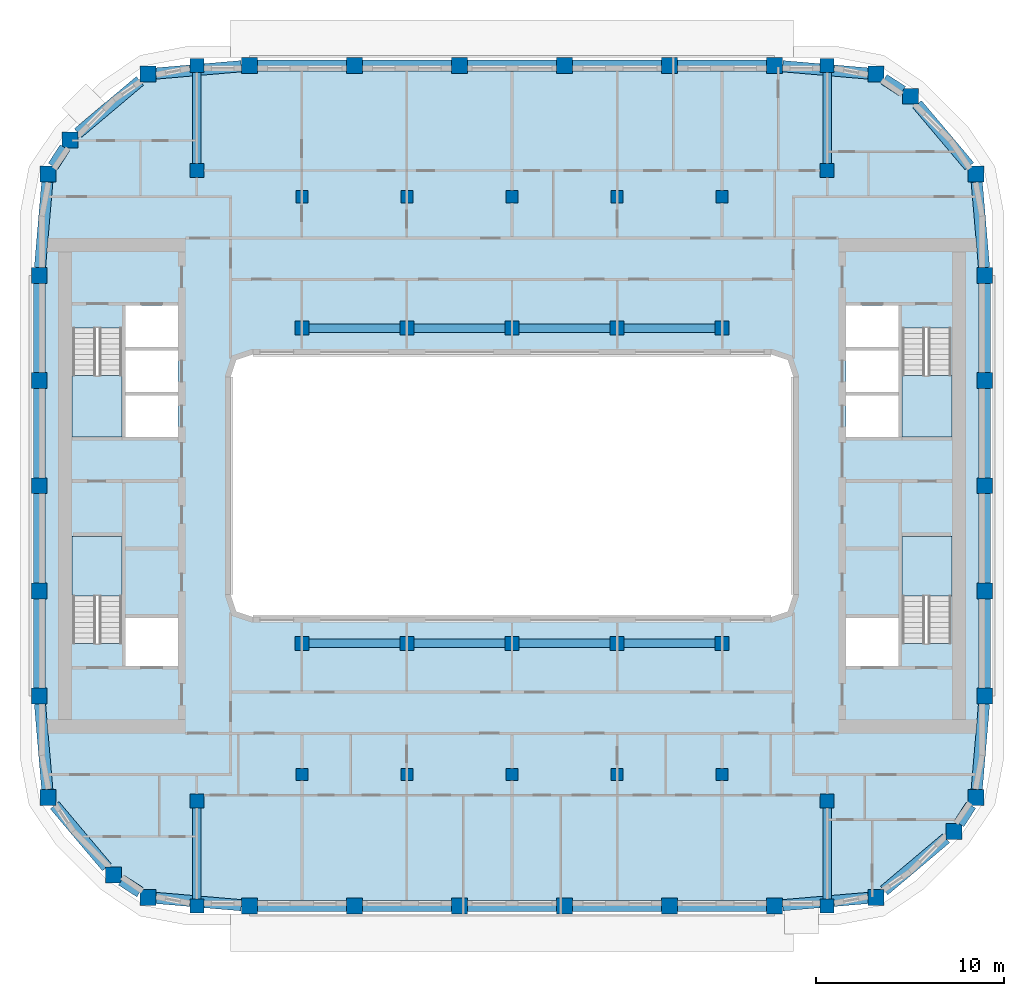
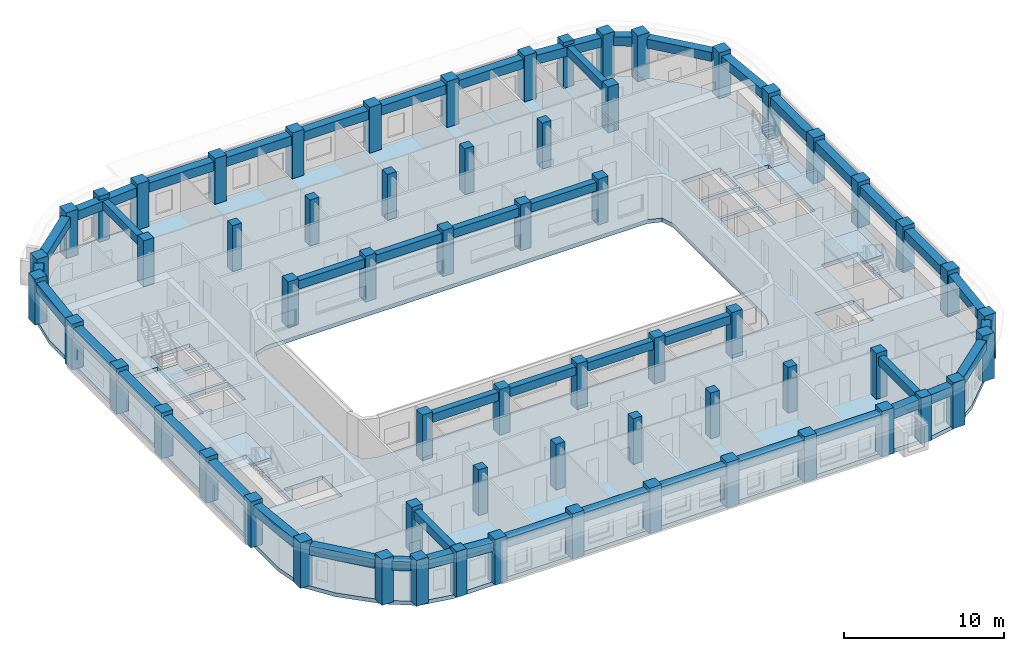
# One storey, part 1 of 21: 62 columns, 46 beams, 5 slabs, 4 elements without a shape of their own.
"""IFC4 building model written with IfcOpenShell, lengths in metres."""

from ifc_helpers import new_model, si_unit, direction, frame, origin, origin_2d, place, context, subcontext, project, spatial, polyline, rectangle, outline, extrude, material, layer, layer_set, material_profile, profile_set, type_object, element, aggregate, save


model = new_model("IFC4")

# Units and contexts
model_context = context("Model", 3, precision=1e-05, world=origin(), true_north=direction((0.0, 1.0)))
body_context = subcontext(model_context, "Body", "Model", "MODEL_VIEW")
ifc_project = project(units=[si_unit("LENGTHUNIT", "METRE"), si_unit("AREAUNIT", "SQUARE_METRE"), si_unit("VOLUMEUNIT", "CUBIC_METRE"), si_unit("PLANEANGLEUNIT", "RADIAN"), si_unit("MASSUNIT", "GRAM", prefix="KILO")], contexts=[model_context])

# Site, building, storey
site_placement = place(None, origin())
site = spatial("IfcSite", under=ifc_project, at=site_placement, CompositionType="ELEMENT")
building_placement = place(site_placement, origin())
building = spatial("IfcBuilding", under=site, at=building_placement, Name="Kiln Ring Residences", CompositionType="ELEMENT")
storey_placement = place(building_placement, frame((0.0, 0.0, 216.89990234375)))
storey = spatial("IfcBuildingStorey", under=building, at=storey_placement, Name="L56", CompositionType="ELEMENT", Elevation=216.89990234375)

# Columns
ifc_material_1 = material(Name="Concrete C70/85", Category="concrete")
ifc_material_profile_1 = material_profile(ifc_material_1, rectangle(XDim=0.64990234375, YDim=0.64990234375, at=origin_2d()), Name="RC650x650")
ifc_profile_set_1 = profile_set([ifc_material_profile_1], Name="Concrete C70/85")
column_type_1 = type_object("IfcColumnType", Name="Corridor column RC650x650 C70/85", PredefinedType="COLUMN", material=ifc_profile_set_1)
for number, where, z_axis, x_axis, name in (
    (1, (-11.199951171875, 15.39990234375, 0.0), (0.0, 0.0, 1.0), (1.0, 0.0, 0.0), "Corridor column L56 1"),
    (2, (-5.60009765625, 15.39990234375, 0.0), (0.0, 0.0, 1.0), (1.0, 0.0, 0.0), "Corridor column L56 2"),
    (3, (0.0, 15.39990234375, 0.0), (0.0, 0.0, 1.0), (1.0, 0.0, 0.0), "Corridor column L56 3"),
    (4, (5.60009765625, 15.39990234375, 0.0), (0.0, 0.0, 1.0), (1.0, 0.0, 0.0), "Corridor column L56 4"),
    (5, (11.199951171875, 15.39990234375, 0.0), (0.0, 0.0, 1.0), (1.0, 0.0, 0.0), "Corridor column L56 5"),
    (6, (-11.199951171875, -15.39990234375, 0.0), (0.0, 0.0, 1.0), (1.0, 0.0, 0.0), "Corridor column L56 6"),
    (7, (-5.60009765625, -15.39990234375, 0.0), (0.0, 0.0, 1.0), (1.0, 0.0, 0.0), "Corridor column L56 7"),
    (8, (0.0, -15.39990234375, 0.0), (0.0, 0.0, 1.0), (1.0, 0.0, 0.0), "Corridor column L56 8"),
    (9, (5.60009765625, -15.39990234375, 0.0), (0.0, 0.0, 1.0), (1.0, 0.0, 0.0), "Corridor column L56 9"),
    (10, (11.199951171875, -15.39990234375, 0.0), (0.0, 0.0, 1.0), (1.0, 0.0, 0.0), "Corridor column L56 10"),
):
    element("IfcColumn", number, at=place(storey_placement, frame(where, z_axis=z_axis, x_axis=x_axis)), inside=storey, type_object=column_type_1, Name=name, PredefinedType="COLUMN", context=body_context, shape_type="SweptSolid", body=[
        extrude(rectangle(XDim=0.64990234375, YDim=0.64990234375, at=origin_2d()), origin(), (0.0, 0.0, 1.0), 3.5),
    ])
ifc_material_2 = material(Name="Concrete C70/85", Category="concrete")
ifc_material_profile_2 = material_profile(ifc_material_2, rectangle(XDim=0.85009765625, YDim=0.85009765625, at=origin_2d()), Name="RC850x850")
ifc_profile_set_2 = profile_set([ifc_material_profile_2], Name="Concrete C70/85")
column_type_2 = type_object("IfcColumnType", Name="Perimeter column RC850x850 C70/85", PredefinedType="COLUMN", material=ifc_profile_set_2)
for number, where, z_axis, x_axis, name in (
    (11, (-19.40869140625, -21.93798828125, 0.0), (0.0, 0.0, 1.0), (1.0, 0.0, 0.0), "Perimeter column L56 1"),
    (12, (-14.0, -22.39990234375, 0.0), (0.0, 0.0, 1.0), (1.0, 0.0, 0.0), "Perimeter column L56 2"),
    (13, (-8.39990234375, -22.39990234375, 0.0), (0.0, 0.0, 1.0), (1.0, 0.0, 0.0), "Perimeter column L56 3"),
    (14, (-2.800048828125, -22.39990234375, 0.0), (0.0, 0.0, 1.0), (1.0, 0.0, 0.0), "Perimeter column L56 4"),
    (15, (2.800048828125, -22.39990234375, 0.0), (0.0, 0.0, 1.0), (1.0, 0.0, 0.0), "Perimeter column L56 5"),
    (16, (8.39990234375, -22.39990234375, 0.0), (0.0, 0.0, 1.0), (1.0, 0.0, 0.0), "Perimeter column L56 6"),
    (17, (14.0, -22.39990234375, 0.0), (0.0, 0.0, 1.0), (1.0, 0.0, 0.0), "Perimeter column L56 7"),
    (18, (19.40869140625, -21.93798828125, 0.0), (0.0, 0.0, 1.0), (1.0, 0.0, 0.0), "Perimeter column L56 8"),
    (19, (23.559814453125, -18.440185546875, 0.0), (0.0, 0.0, 1.0), (1.0, 0.0, 0.0), "Perimeter column L56 9"),
    (20, (24.738037109375, -16.608642578125, 0.0), (0.0, 0.0, 1.0), (1.0, 0.0, 0.0), "Perimeter column L56 10"),
    (21, (25.199951171875, -11.199951171875, 0.0), (0.0, 0.0, 1.0), (1.0, 0.0, 0.0), "Perimeter column L56 11"),
    (22, (25.199951171875, -5.60009765625, 0.0), (0.0, 0.0, 1.0), (1.0, 0.0, 0.0), "Perimeter column L56 12"),
    (23, (25.199951171875, 0.0, 0.0), (0.0, 0.0, 1.0), (1.0, 0.0, 0.0), "Perimeter column L56 13"),
    (24, (25.199951171875, 5.60009765625, 0.0), (0.0, 0.0, 1.0), (1.0, 0.0, 0.0), "Perimeter column L56 14"),
    (25, (25.199951171875, 11.199951171875, 0.0), (0.0, 0.0, 1.0), (1.0, 0.0, 0.0), "Perimeter column L56 15"),
    (26, (24.738037109375, 16.608642578125, 0.0), (0.0, 0.0, 1.0), (1.0, 0.0, 0.0), "Perimeter column L56 16"),
    (27, (21.240234375, 20.759765625, 0.0), (0.0, 0.0, 1.0), (1.0, 0.0, 0.0), "Perimeter column L56 17"),
    (28, (19.40869140625, 21.93798828125, 0.0), (0.0, 0.0, 1.0), (1.0, 0.0, 0.0), "Perimeter column L56 18"),
    (29, (14.0, 22.39990234375, 0.0), (0.0, 0.0, 1.0), (1.0, 0.0, 0.0), "Perimeter column L56 19"),
    (30, (8.39990234375, 22.39990234375, 0.0), (0.0, 0.0, 1.0), (1.0, 0.0, 0.0), "Perimeter column L56 20"),
    (31, (2.800048828125, 22.39990234375, 0.0), (0.0, 0.0, 1.0), (1.0, 0.0, 0.0), "Perimeter column L56 21"),
    (32, (-2.800048828125, 22.39990234375, 0.0), (0.0, 0.0, 1.0), (1.0, 0.0, 0.0), "Perimeter column L56 22"),
    (33, (-8.39990234375, 22.39990234375, 0.0), (0.0, 0.0, 1.0), (1.0, 0.0, 0.0), "Perimeter column L56 23"),
    (34, (-14.0, 22.39990234375, 0.0), (0.0, 0.0, 1.0), (1.0, 0.0, 0.0), "Perimeter column L56 24"),
    (35, (-19.40869140625, 21.93798828125, 0.0), (0.0, 0.0, 1.0), (1.0, 0.0, 0.0), "Perimeter column L56 25"),
    (36, (-23.559814453125, 18.440185546875, 0.0), (0.0, 0.0, 1.0), (1.0, 0.0, 0.0), "Perimeter column L56 26"),
    (37, (-24.738037109375, 16.608642578125, 0.0), (0.0, 0.0, 1.0), (1.0, 0.0, 0.0), "Perimeter column L56 27"),
    (38, (-25.199951171875, 11.199951171875, 0.0), (0.0, 0.0, 1.0), (1.0, 0.0, 0.0), "Perimeter column L56 28"),
    (39, (-25.199951171875, 5.60009765625, 0.0), (0.0, 0.0, 1.0), (1.0, 0.0, 0.0), "Perimeter column L56 29"),
    (40, (-25.199951171875, 0.0, 0.0), (0.0, 0.0, 1.0), (1.0, 0.0, 0.0), "Perimeter column L56 30"),
    (41, (-25.199951171875, -5.60009765625, 0.0), (0.0, 0.0, 1.0), (1.0, 0.0, 0.0), "Perimeter column L56 31"),
    (42, (-25.199951171875, -11.199951171875, 0.0), (0.0, 0.0, 1.0), (1.0, 0.0, 0.0), "Perimeter column L56 32"),
    (43, (-24.738037109375, -16.608642578125, 0.0), (0.0, 0.0, 1.0), (1.0, 0.0, 0.0), "Perimeter column L56 33"),
    (44, (-21.240234375, -20.759765625, 0.0), (0.0, 0.0, 1.0), (1.0, 0.0, 0.0), "Perimeter column L56 34"),
):
    element("IfcColumn", number, at=place(storey_placement, frame(where, z_axis=z_axis, x_axis=x_axis)), inside=storey, type_object=column_type_2, Name=name, PredefinedType="COLUMN", context=body_context, shape_type="SweptSolid", body=[
        extrude(rectangle(XDim=0.85009765625, YDim=0.85009765625, at=origin_2d()), origin(), (0.0, 0.0, 1.0), 3.5),
    ])
ifc_material_3 = material(Name="Concrete C70/85", Category="concrete")
ifc_material_profile_3 = material_profile(ifc_material_3, rectangle(XDim=0.75, YDim=0.75, at=origin_2d()), Name="RC750x750")
ifc_profile_set_3 = profile_set([ifc_material_profile_3], Name="Concrete C70/85")
column_type_3 = type_object("IfcColumnType", Name="Ring column RC750x750 C70/85", PredefinedType="COLUMN", material=ifc_profile_set_3)
for number, where, z_axis, x_axis, name in (
    (45, (-16.800048828125, -22.39990234375, 0.0), (0.0, 0.0, 1.0), (1.0, 0.0, 0.0), "Ring column L56 1"),
    (46, (-16.800048828125, -16.800048828125, 0.0), (0.0, 0.0, 1.0), (1.0, 0.0, 0.0), "Ring column L56 2"),
    (47, (-16.800048828125, 16.800048828125, 0.0), (0.0, 0.0, 1.0), (1.0, 0.0, 0.0), "Ring column L56 3"),
    (48, (-16.800048828125, 22.39990234375, 0.0), (0.0, 0.0, 1.0), (1.0, 0.0, 0.0), "Ring column L56 4"),
    (49, (-11.199951171875, -8.39990234375, 0.0), (0.0, 0.0, 1.0), (1.0, 0.0, 0.0), "Ring column L56 5"),
    (50, (-11.199951171875, 8.39990234375, 0.0), (0.0, 0.0, 1.0), (1.0, 0.0, 0.0), "Ring column L56 6"),
    (51, (-5.60009765625, -8.39990234375, 0.0), (0.0, 0.0, 1.0), (1.0, 0.0, 0.0), "Ring column L56 7"),
    (52, (-5.60009765625, 8.39990234375, 0.0), (0.0, 0.0, 1.0), (1.0, 0.0, 0.0), "Ring column L56 8"),
    (53, (0.0, -8.39990234375, 0.0), (0.0, 0.0, 1.0), (1.0, 0.0, 0.0), "Ring column L56 9"),
    (54, (0.0, 8.39990234375, 0.0), (0.0, 0.0, 1.0), (1.0, 0.0, 0.0), "Ring column L56 10"),
    (55, (5.60009765625, -8.39990234375, 0.0), (0.0, 0.0, 1.0), (1.0, 0.0, 0.0), "Ring column L56 11"),
    (56, (5.60009765625, 8.39990234375, 0.0), (0.0, 0.0, 1.0), (1.0, 0.0, 0.0), "Ring column L56 12"),
    (57, (11.199951171875, -8.39990234375, 0.0), (0.0, 0.0, 1.0), (1.0, 0.0, 0.0), "Ring column L56 13"),
    (58, (11.199951171875, 8.39990234375, 0.0), (0.0, 0.0, 1.0), (1.0, 0.0, 0.0), "Ring column L56 14"),
    (59, (16.800048828125, -22.39990234375, 0.0), (0.0, 0.0, 1.0), (1.0, 0.0, 0.0), "Ring column L56 15"),
    (60, (16.800048828125, -16.800048828125, 0.0), (0.0, 0.0, 1.0), (1.0, 0.0, 0.0), "Ring column L56 16"),
    (61, (16.800048828125, 16.800048828125, 0.0), (0.0, 0.0, 1.0), (1.0, 0.0, 0.0), "Ring column L56 17"),
    (62, (16.800048828125, 22.39990234375, 0.0), (0.0, 0.0, 1.0), (1.0, 0.0, 0.0), "Ring column L56 18"),
):
    element("IfcColumn", number, at=place(storey_placement, frame(where, z_axis=z_axis, x_axis=x_axis)), inside=storey, type_object=column_type_3, Name=name, PredefinedType="COLUMN", context=body_context, shape_type="SweptSolid", body=[
        extrude(rectangle(XDim=0.75, YDim=0.75, at=origin_2d()), origin(), (0.0, 0.0, 1.0), 3.5),
    ])

# Beams
ifc_material_4 = material(Name="Concrete C50/60", Category="concrete")
ifc_material_profile_4 = material_profile(ifc_material_4, rectangle(XDim=0.449951171875, YDim=0.64990234375, at=origin_2d()), Name="RC450x650")
ifc_profile_set_4 = profile_set([ifc_material_profile_4], Name="Concrete C50/60")
beam_type_1 = type_object("IfcBeamType", Name="Ring beam RC450x650 C50/60", PredefinedType="BEAM", material=ifc_profile_set_4)
beam_1_placement = place(storey_placement, frame((-10.824951171875, -8.39990234375, 2.875), z_axis=(1.0, 0.0, 0.0), x_axis=(0.0, 1.0, 0.0)))
element("IfcBeam", 63, at=beam_1_placement, inside=storey, type_object=beam_type_1, Name="Ring beam L56 1", PredefinedType="BEAM", context=body_context, shape_type="SweptSolid", body=[
    extrude(rectangle(XDim=0.449951171875, YDim=0.64990234375, at=origin_2d()), origin(), (0.0, 0.0, 1.0), 4.849853515625),
])
for number, where, z_axis, x_axis, name in (
    (64, (-5.22509765625, -8.39990234375, 2.875), (1.0, 0.0, 0.0), (0.0, 1.0, 0.0), "Ring beam L56 2"),
    (65, (0.375, -8.39990234375, 2.875), (1.0, 0.0, 0.0), (0.0, 1.0, 0.0), "Ring beam L56 3"),
):
    element("IfcBeam", number, at=place(storey_placement, frame(where, z_axis=z_axis, x_axis=x_axis)), inside=storey, type_object=beam_type_1, Name=name, PredefinedType="BEAM", context=body_context, shape_type="SweptSolid", body=[
        extrude(rectangle(XDim=0.449951171875, YDim=0.64990234375, at=origin_2d()), origin(), (0.0, 0.0, 1.0), 4.85009765625),
    ])
for number, where, z_axis, x_axis, name in (
    (66, (5.97509765625, -8.39990234375, 2.875), (1.0, 0.0, 0.0), (0.0, 1.0, 0.0), "Ring beam L56 4"),
    (67, (-10.824951171875, 8.39990234375, 2.875), (1.0, 0.0, 0.0), (0.0, 1.0, 0.0), "Ring beam L56 5"),
):
    element("IfcBeam", number, at=place(storey_placement, frame(where, z_axis=z_axis, x_axis=x_axis)), inside=storey, type_object=beam_type_1, Name=name, PredefinedType="BEAM", context=body_context, shape_type="SweptSolid", body=[
        extrude(rectangle(XDim=0.449951171875, YDim=0.64990234375, at=origin_2d()), origin(), (0.0, 0.0, 1.0), 4.849853515625),
    ])
for number, where, z_axis, x_axis, name in (
    (68, (-5.22509765625, 8.39990234375, 2.875), (1.0, 0.0, 0.0), (0.0, 1.0, 0.0), "Ring beam L56 6"),
    (69, (0.375, 8.39990234375, 2.875), (1.0, 0.0, 0.0), (0.0, 1.0, 0.0), "Ring beam L56 7"),
):
    element("IfcBeam", number, at=place(storey_placement, frame(where, z_axis=z_axis, x_axis=x_axis)), inside=storey, type_object=beam_type_1, Name=name, PredefinedType="BEAM", context=body_context, shape_type="SweptSolid", body=[
        extrude(rectangle(XDim=0.449951171875, YDim=0.64990234375, at=origin_2d()), origin(), (0.0, 0.0, 1.0), 4.85009765625),
    ])
for number, where, z_axis, x_axis, name in (
    (70, (5.97509765625, 8.39990234375, 2.875), (1.0, 0.0, 0.0), (0.0, 1.0, 0.0), "Ring beam L56 8"),
    (71, (-16.800048828125, -17.175048828125, 2.875), (0.0, -1.0, 0.0), (1.0, 0.0, 0.0), "Ring beam L56 9"),
    (72, (-16.800048828125, 17.175048828125, 2.875), (0.0, 1.0, 0.0), (-1.0, 0.0, 0.0), "Ring beam L56 10"),
    (73, (16.800048828125, -17.175048828125, 2.875), (0.0, -1.0, 0.0), (1.0, 0.0, 0.0), "Ring beam L56 11"),
    (74, (16.800048828125, 17.175048828125, 2.875), (0.0, 1.0, 0.0), (-1.0, 0.0, 0.0), "Ring beam L56 12"),
):
    element("IfcBeam", number, at=place(storey_placement, frame(where, z_axis=z_axis, x_axis=x_axis)), inside=storey, type_object=beam_type_1, Name=name, PredefinedType="BEAM", context=body_context, shape_type="SweptSolid", body=[
        extrude(rectangle(XDim=0.449951171875, YDim=0.64990234375, at=origin_2d()), origin(), (0.0, 0.0, 1.0), 4.849853515625),
    ])
ifc_material_5 = material(Name="Concrete C50/60", Category="concrete")
ifc_material_profile_5 = material_profile(ifc_material_5, rectangle(XDim=0.60009765625, YDim=0.699951171875, at=origin_2d()), Name="RC600x700")
ifc_profile_set_5 = profile_set([ifc_material_profile_5], Name="Concrete C50/60")
beam_type_2 = type_object("IfcBeamType", Name="Spandrel beam RC600x700 C50/60", PredefinedType="SPANDREL", material=ifc_profile_set_5)
beam_2_placement = place(storey_placement, frame((-18.983642578125, -21.974365234375, 2.85009765625), z_axis=(0.996371385312, -0.085112058675, 0.0), x_axis=(0.085112058675, 0.996371385312, 0.0)))
element("IfcBeam", 75, at=beam_2_placement, inside=storey, type_object=beam_type_2, Name="Spandrel beam L56 1", PredefinedType="SPANDREL", context=body_context, shape_type="SweptSolid", body=[
    extrude(rectangle(XDim=0.60009765625, YDim=0.699951171875, at=origin_2d()), origin(), (0.0, 0.0, 1.0), 4.5751953125),
])
for number, where, z_axis, x_axis, name in (
    (76, (-13.574951171875, -22.39990234375, 2.85009765625), (1.0, 0.0, 0.0), (0.0, 1.0, 0.0), "Spandrel beam L56 2"),
    (77, (-7.97509765625, -22.39990234375, 2.85009765625), (1.0, 0.0, 0.0), (0.0, 1.0, 0.0), "Spandrel beam L56 3"),
    (78, (-2.375, -22.39990234375, 2.85009765625), (1.0, 0.0, 0.0), (0.0, 1.0, 0.0), "Spandrel beam L56 4"),
    (79, (3.22509765625, -22.39990234375, 2.85009765625), (1.0, 0.0, 0.0), (0.0, 1.0, 0.0), "Spandrel beam L56 5"),
    (80, (8.824951171875, -22.39990234375, 2.85009765625), (1.0, 0.0, 0.0), (0.0, 1.0, 0.0), "Spandrel beam L56 6"),
):
    element("IfcBeam", number, at=place(storey_placement, frame(where, z_axis=z_axis, x_axis=x_axis)), inside=storey, type_object=beam_type_2, Name=name, PredefinedType="SPANDREL", context=body_context, shape_type="SweptSolid", body=[
        extrude(rectangle(XDim=0.60009765625, YDim=0.699951171875, at=origin_2d()), origin(), (0.0, 0.0, 1.0), 4.75),
    ])
beam_3_placement = place(storey_placement, frame((14.425048828125, -22.36376953125, 2.85009765625), z_axis=(0.996371385312, 0.085112058675, 0.0), x_axis=(-0.085112058675, 0.996371385312, 0.0)))
element("IfcBeam", 81, at=beam_3_placement, inside=storey, type_object=beam_type_2, Name="Spandrel beam L56 7", PredefinedType="SPANDREL", context=body_context, shape_type="SweptSolid", body=[
    extrude(rectangle(XDim=0.60009765625, YDim=0.699951171875, at=origin_2d()), origin(), (0.0, 0.0, 1.0), 4.5751953125),
])
beam_4_placement = place(storey_placement, frame((19.833740234375, -21.580078125, 2.85009765625), z_axis=(0.764691163306, 0.64439694658, 0.0), x_axis=(-0.64439694658, 0.764691163306, 0.0)))
element("IfcBeam", 82, at=beam_4_placement, inside=storey, type_object=beam_type_2, Name="Spandrel beam L56 8", PredefinedType="SPANDREL", context=body_context, shape_type="SweptSolid", body=[
    extrude(rectangle(XDim=0.60009765625, YDim=0.699951171875, at=origin_2d()), origin(), (0.0, 0.0, 1.0), 4.31689453125),
])
beam_5_placement = place(storey_placement, frame((23.833251953125, -18.01513671875, 2.85009765625), z_axis=(0.541011334995, 0.84101530034, 0.0), x_axis=(-0.84101530034, 0.541011334995, 0.0)))
element("IfcBeam", 83, at=beam_5_placement, inside=storey, type_object=beam_type_2, Name="Spandrel beam L56 9", PredefinedType="SPANDREL", context=body_context, shape_type="SweptSolid", body=[
    extrude(rectangle(XDim=0.60009765625, YDim=0.699951171875, at=origin_2d()), origin(), (0.0, 0.0, 1.0), 1.1669921875),
])
beam_6_placement = place(storey_placement, frame((24.7744140625, -16.18359375, 2.85009765625), z_axis=(0.085112058675, 0.996371385312, 0.0), x_axis=(-0.996371385312, 0.085112058675, 0.0)))
element("IfcBeam", 84, at=beam_6_placement, inside=storey, type_object=beam_type_2, Name="Spandrel beam L56 10", PredefinedType="SPANDREL", context=body_context, shape_type="SweptSolid", body=[
    extrude(rectangle(XDim=0.60009765625, YDim=0.699951171875, at=origin_2d()), origin(), (0.0, 0.0, 1.0), 4.5751953125),
])
for number, where, z_axis, x_axis, name in (
    (85, (25.199951171875, -10.77490234375, 2.85009765625), (0.0, 1.0, 0.0), (-1.0, 0.0, 0.0), "Spandrel beam L56 11"),
    (86, (25.199951171875, -5.175048828125, 2.85009765625), (0.0, 1.0, 0.0), (-1.0, 0.0, 0.0), "Spandrel beam L56 12"),
    (87, (25.199951171875, 0.425048828125, 2.85009765625), (0.0, 1.0, 0.0), (-1.0, 0.0, 0.0), "Spandrel beam L56 13"),
    (88, (25.199951171875, 6.02490234375, 2.85009765625), (0.0, 1.0, 0.0), (-1.0, 0.0, 0.0), "Spandrel beam L56 14"),
):
    element("IfcBeam", number, at=place(storey_placement, frame(where, z_axis=z_axis, x_axis=x_axis)), inside=storey, type_object=beam_type_2, Name=name, PredefinedType="SPANDREL", context=body_context, shape_type="SweptSolid", body=[
        extrude(rectangle(XDim=0.60009765625, YDim=0.699951171875, at=origin_2d()), origin(), (0.0, 0.0, 1.0), 4.75),
    ])
beam_7_placement = place(storey_placement, frame((25.163818359375, 11.625, 2.85009765625), z_axis=(-0.085112058675, 0.996371385312, 0.0), x_axis=(-0.996371385312, -0.085112058675, 0.0)))
element("IfcBeam", 89, at=beam_7_placement, inside=storey, type_object=beam_type_2, Name="Spandrel beam L56 15", PredefinedType="SPANDREL", context=body_context, shape_type="SweptSolid", body=[
    extrude(rectangle(XDim=0.60009765625, YDim=0.699951171875, at=origin_2d()), origin(), (0.0, 0.0, 1.0), 4.5751953125),
])
beam_8_placement = place(storey_placement, frame((24.3798828125, 17.03369140625, 2.85009765625), z_axis=(-0.644363873614, 0.764719032313, 0.0), x_axis=(-0.764719032313, -0.644363873614, 0.0)))
element("IfcBeam", 90, at=beam_8_placement, inside=storey, type_object=beam_type_2, Name="Spandrel beam L56 16", PredefinedType="SPANDREL", context=body_context, shape_type="SweptSolid", body=[
    extrude(rectangle(XDim=0.60009765625, YDim=0.699951171875, at=origin_2d()), origin(), (0.0, 0.0, 1.0), 4.316650390625),
])
beam_9_placement = place(storey_placement, frame((20.815185546875, 21.033203125, 2.85009765625), z_axis=(-0.840920108806, 0.54115928395, 0.0), x_axis=(-0.54115928395, -0.840920108806, 0.0)))
element("IfcBeam", 91, at=beam_9_placement, inside=storey, type_object=beam_type_2, Name="Spandrel beam L56 17", PredefinedType="SPANDREL", context=body_context, shape_type="SweptSolid", body=[
    extrude(rectangle(XDim=0.60009765625, YDim=0.699951171875, at=origin_2d()), origin(), (0.0, 0.0, 1.0), 1.1669921875),
])
beam_10_placement = place(storey_placement, frame((18.983642578125, 21.974365234375, 2.85009765625), z_axis=(-0.996371385312, 0.085112058675, 0.0), x_axis=(-0.085112058675, -0.996371385312, 0.0)))
element("IfcBeam", 92, at=beam_10_placement, inside=storey, type_object=beam_type_2, Name="Spandrel beam L56 18", PredefinedType="SPANDREL", context=body_context, shape_type="SweptSolid", body=[
    extrude(rectangle(XDim=0.60009765625, YDim=0.699951171875, at=origin_2d()), origin(), (0.0, 0.0, 1.0), 4.5751953125),
])
for number, where, z_axis, x_axis, name in (
    (93, (13.574951171875, 22.39990234375, 2.85009765625), (-1.0, 0.0, 0.0), (0.0, -1.0, 0.0), "Spandrel beam L56 19"),
    (94, (7.97509765625, 22.39990234375, 2.85009765625), (-1.0, 0.0, 0.0), (0.0, -1.0, 0.0), "Spandrel beam L56 20"),
    (95, (2.375, 22.39990234375, 2.85009765625), (-1.0, 0.0, 0.0), (0.0, -1.0, 0.0), "Spandrel beam L56 21"),
    (96, (-3.22509765625, 22.39990234375, 2.85009765625), (-1.0, 0.0, 0.0), (0.0, -1.0, 0.0), "Spandrel beam L56 22"),
    (97, (-8.824951171875, 22.39990234375, 2.85009765625), (-1.0, 0.0, 0.0), (0.0, -1.0, 0.0), "Spandrel beam L56 23"),
):
    element("IfcBeam", number, at=place(storey_placement, frame(where, z_axis=z_axis, x_axis=x_axis)), inside=storey, type_object=beam_type_2, Name=name, PredefinedType="SPANDREL", context=body_context, shape_type="SweptSolid", body=[
        extrude(rectangle(XDim=0.60009765625, YDim=0.699951171875, at=origin_2d()), origin(), (0.0, 0.0, 1.0), 4.75),
    ])
beam_11_placement = place(storey_placement, frame((-14.425048828125, 22.36376953125, 2.85009765625), z_axis=(-0.996371385312, -0.085112058675, 0.0), x_axis=(0.085112058675, -0.996371385312, 0.0)))
element("IfcBeam", 98, at=beam_11_placement, inside=storey, type_object=beam_type_2, Name="Spandrel beam L56 24", PredefinedType="SPANDREL", context=body_context, shape_type="SweptSolid", body=[
    extrude(rectangle(XDim=0.60009765625, YDim=0.699951171875, at=origin_2d()), origin(), (0.0, 0.0, 1.0), 4.5751953125),
])
beam_12_placement = place(storey_placement, frame((-19.833740234375, 21.580078125, 2.85009765625), z_axis=(-0.764691163306, -0.64439694658, 0.0), x_axis=(0.64439694658, -0.764691163306, 0.0)))
element("IfcBeam", 99, at=beam_12_placement, inside=storey, type_object=beam_type_2, Name="Spandrel beam L56 25", PredefinedType="SPANDREL", context=body_context, shape_type="SweptSolid", body=[
    extrude(rectangle(XDim=0.60009765625, YDim=0.699951171875, at=origin_2d()), origin(), (0.0, 0.0, 1.0), 4.31689453125),
])
beam_13_placement = place(storey_placement, frame((-23.833251953125, 18.01513671875, 2.85009765625), z_axis=(-0.541011334995, -0.84101530034, 0.0), x_axis=(0.84101530034, -0.541011334995, 0.0)))
element("IfcBeam", 100, at=beam_13_placement, inside=storey, type_object=beam_type_2, Name="Spandrel beam L56 26", PredefinedType="SPANDREL", context=body_context, shape_type="SweptSolid", body=[
    extrude(rectangle(XDim=0.60009765625, YDim=0.699951171875, at=origin_2d()), origin(), (0.0, 0.0, 1.0), 1.1669921875),
])
beam_14_placement = place(storey_placement, frame((-24.7744140625, 16.18359375, 2.85009765625), z_axis=(-0.085112058675, -0.996371385312, 0.0), x_axis=(0.996371385312, -0.085112058675, 0.0)))
element("IfcBeam", 101, at=beam_14_placement, inside=storey, type_object=beam_type_2, Name="Spandrel beam L56 27", PredefinedType="SPANDREL", context=body_context, shape_type="SweptSolid", body=[
    extrude(rectangle(XDim=0.60009765625, YDim=0.699951171875, at=origin_2d()), origin(), (0.0, 0.0, 1.0), 4.5751953125),
])
for number, where, z_axis, x_axis, name in (
    (102, (-25.199951171875, 10.77490234375, 2.85009765625), (0.0, -1.0, 0.0), (1.0, 0.0, 0.0), "Spandrel beam L56 28"),
    (103, (-25.199951171875, 5.175048828125, 2.85009765625), (0.0, -1.0, 0.0), (1.0, 0.0, 0.0), "Spandrel beam L56 29"),
    (104, (-25.199951171875, -0.425048828125, 2.85009765625), (0.0, -1.0, 0.0), (1.0, 0.0, 0.0), "Spandrel beam L56 30"),
    (105, (-25.199951171875, -6.02490234375, 2.85009765625), (0.0, -1.0, 0.0), (1.0, 0.0, 0.0), "Spandrel beam L56 31"),
):
    element("IfcBeam", number, at=place(storey_placement, frame(where, z_axis=z_axis, x_axis=x_axis)), inside=storey, type_object=beam_type_2, Name=name, PredefinedType="SPANDREL", context=body_context, shape_type="SweptSolid", body=[
        extrude(rectangle(XDim=0.60009765625, YDim=0.699951171875, at=origin_2d()), origin(), (0.0, 0.0, 1.0), 4.75),
    ])
beam_15_placement = place(storey_placement, frame((-25.163818359375, -11.625, 2.85009765625), z_axis=(0.085112058675, -0.996371385312, 0.0), x_axis=(0.996371385312, 0.085112058675, 0.0)))
element("IfcBeam", 106, at=beam_15_placement, inside=storey, type_object=beam_type_2, Name="Spandrel beam L56 32", PredefinedType="SPANDREL", context=body_context, shape_type="SweptSolid", body=[
    extrude(rectangle(XDim=0.60009765625, YDim=0.699951171875, at=origin_2d()), origin(), (0.0, 0.0, 1.0), 4.5751953125),
])
beam_16_placement = place(storey_placement, frame((-24.3798828125, -17.03369140625, 2.85009765625), z_axis=(0.644363873614, -0.764719032313, 0.0), x_axis=(0.764719032313, 0.644363873614, 0.0)))
element("IfcBeam", 107, at=beam_16_placement, inside=storey, type_object=beam_type_2, Name="Spandrel beam L56 33", PredefinedType="SPANDREL", context=body_context, shape_type="SweptSolid", body=[
    extrude(rectangle(XDim=0.60009765625, YDim=0.699951171875, at=origin_2d()), origin(), (0.0, 0.0, 1.0), 4.316650390625),
])
beam_17_placement = place(storey_placement, frame((-20.815185546875, -21.033203125, 2.85009765625), z_axis=(0.840920108806, -0.54115928395, 0.0), x_axis=(0.54115928395, 0.840920108806, 0.0)))
element("IfcBeam", 108, at=beam_17_placement, inside=storey, type_object=beam_type_2, Name="Spandrel beam L56 34", PredefinedType="SPANDREL", context=body_context, shape_type="SweptSolid", body=[
    extrude(rectangle(XDim=0.60009765625, YDim=0.699951171875, at=origin_2d()), origin(), (0.0, 0.0, 1.0), 1.1669921875),
])

# Stair, slab
ifc_material_6 = material(Name="Concrete C40/50", Category="concrete")
stair_type = type_object("IfcStairType", Name="CORE-STAIR", PredefinedType="HALF_TURN_STAIR", material=ifc_material_6)
placement_1 = place(storey_placement, origin())
stair_1 = element("IfcStair", 109, at=placement_1, inside=storey, type_object=stair_type, Name="L56 stair W-STN", PredefinedType="HALF_TURN_STAIR")
ifc_material_7 = material(Name="Concrete C40/50", Category="concrete")
ifc_layer_1 = layer(ifc_material_7, 0.199951171875)
ifc_layer_set_1 = layer_set([ifc_layer_1], Name="CORE-STAIR-LANDING")
slab_type_1 = type_object("IfcSlabType", Name="CORE-STAIR-LANDING", PredefinedType="LANDING", material=ifc_layer_set_1)
placement_2 = place(storey_placement, frame((0.0, 0.0, 1.550048828125)))
slab_1 = element("IfcSlab", 110, at=placement_2, type_object=slab_type_1, Name="W-STN landing 1", PredefinedType="LANDING", context=body_context, shape_type="SweptSolid", body=[
    extrude(outline(polyline([(-23.449951171875, 5.8798828125), (-23.449951171875, 2.60009765625), (-20.800048828125, 2.60009765625), (-20.800048828125, 5.8798828125), (-23.449951171875, 5.8798828125)])), origin(), (0.0, 0.0, 1.0), 0.199951171875),
])
aggregate(stair_1, [slab_1])

stair_2 = element("IfcStair", 111, at=placement_1, inside=storey, type_object=stair_type, Name="L56 stair W-STS", PredefinedType="HALF_TURN_STAIR")
slab_2 = element("IfcSlab", 112, at=placement_2, type_object=slab_type_1, Name="W-STS landing 1", PredefinedType="LANDING", context=body_context, shape_type="SweptSolid", body=[
    extrude(outline(polyline([(-20.800048828125, -5.8798828125), (-20.800048828125, -2.699951171875), (-23.449951171875, -2.699951171875), (-23.449951171875, -5.8798828125), (-20.800048828125, -5.8798828125)])), origin(), (0.0, 0.0, 1.0), 0.199951171875),
])
aggregate(stair_2, [slab_2])

stair_3 = element("IfcStair", 113, at=placement_1, inside=storey, type_object=stair_type, Name="L56 stair E-STN", PredefinedType="HALF_TURN_STAIR")
slab_3 = element("IfcSlab", 114, at=placement_2, type_object=slab_type_1, Name="E-STN landing 1", PredefinedType="LANDING", context=body_context, shape_type="SweptSolid", body=[
    extrude(outline(polyline([(20.800048828125, 5.8798828125), (20.800048828125, 2.60009765625), (23.449951171875, 2.60009765625), (23.449951171875, 5.8798828125), (20.800048828125, 5.8798828125)])), origin(), (0.0, 0.0, 1.0), 0.199951171875),
])
aggregate(stair_3, [slab_3])

stair_4 = element("IfcStair", 115, at=placement_1, inside=storey, type_object=stair_type, Name="L56 stair E-STS", PredefinedType="HALF_TURN_STAIR")
slab_4 = element("IfcSlab", 116, at=placement_2, type_object=slab_type_1, Name="E-STS landing 1", PredefinedType="LANDING", context=body_context, shape_type="SweptSolid", body=[
    extrude(outline(polyline([(23.449951171875, -5.8798828125), (23.449951171875, -2.699951171875), (20.800048828125, -2.699951171875), (20.800048828125, -5.8798828125), (23.449951171875, -5.8798828125)])), origin(), (0.0, 0.0, 1.0), 0.199951171875),
])
aggregate(stair_4, [slab_4])

# Slab
ifc_material_8 = material(Name="Concrete C40/50", Category="concrete")
ifc_layer_2 = layer(ifc_material_8, 0.300048828125)
ifc_layer_set_2 = layer_set([ifc_layer_2], Name="Floor slab 300")
slab_type_2 = type_object("IfcSlabType", Name="Floor slab 300", PredefinedType="FLOOR", material=ifc_layer_set_2)
slab_5_placement = place(storey_placement, frame((0.0, 0.0, -0.2998046875)))
element("IfcSlab", 117, at=slab_5_placement, inside=storey, type_object=slab_type_2, Name="Floor slab L56 1", PredefinedType="FLOOR", context=body_context, shape_type="SweptSolid", body=[
    extrude(outline(polyline([(-23.5029296875, -18.4970703125), (-21.297119140625, -20.702880859375), (-19.42431640625, -21.975830078125), (-17.199951171875, -22.39990234375), (17.199951171875, -22.39990234375), (19.42431640625, -21.975830078125), (21.297119140625, -20.702880859375), (23.5029296875, -18.4970703125), (24.775634765625, -16.624267578125), (25.199951171875, -14.39990234375), (25.199951171875, 14.39990234375), (24.775634765625, 16.624267578125), (23.5029296875, 18.4970703125), (21.297119140625, 20.702880859375), (19.42431640625, 21.975830078125), (17.199951171875, 22.39990234375), (-17.199951171875, 22.39990234375), (-19.42431640625, 21.975830078125), (-21.297119140625, 20.702880859375), (-23.5029296875, 18.4970703125), (-24.775634765625, 16.624267578125), (-25.199951171875, 14.39990234375), (-25.199951171875, -14.39990234375), (-24.775634765625, -16.624267578125), (-23.5029296875, -18.4970703125)]), holes=[polyline([(-14.699951171875, -6.699951171875), (-15.0, -5.800048828125), (-15.0, 5.800048828125), (-14.699951171875, 6.699951171875), (-13.800048828125, 7.0), (13.800048828125, 7.0), (14.699951171875, 6.699951171875), (15.0, 5.800048828125), (15.0, -5.800048828125), (14.699951171875, -6.699951171875), (13.800048828125, -7.0), (-13.800048828125, -7.0), (-14.699951171875, -6.699951171875)]), polyline([(20.800048828125, -8.39794921875), (20.800048828125, -2.699951171875), (23.39990234375, -2.699951171875), (23.39990234375, -8.39794921875), (20.800048828125, -8.39794921875)]), polyline([(23.39990234375, 2.60009765625), (20.800048828125, 2.60009765625), (20.800048828125, 8.39794921875), (23.39990234375, 8.39794921875), (23.39990234375, 2.60009765625)]), polyline([(17.800048828125, 2.60009765625), (17.800048828125, 4.800048828125), (20.60009765625, 4.800048828125), (20.60009765625, 2.60009765625), (17.800048828125, 2.60009765625)]), polyline([(17.800048828125, 5.0), (17.800048828125, 7.199951171875), (20.60009765625, 7.199951171875), (20.60009765625, 5.0), (17.800048828125, 5.0)]), polyline([(17.800048828125, 7.39990234375), (17.800048828125, 9.60009765625), (20.60009765625, 9.60009765625), (20.60009765625, 7.39990234375), (17.800048828125, 7.39990234375)]), polyline([(20.60009765625, -9.60009765625), (17.800048828125, -9.60009765625), (17.800048828125, -7.050048828125), (20.60009765625, -7.050048828125), (20.60009765625, -9.60009765625)]), polyline([(-17.800048828125, -7.050048828125), (-17.800048828125, -9.60009765625), (-20.60009765625, -9.60009765625), (-20.60009765625, -7.050048828125), (-17.800048828125, -7.050048828125)]), polyline([(-17.800048828125, 2.60009765625), (-20.60009765625, 2.60009765625), (-20.60009765625, 4.800048828125), (-17.800048828125, 4.800048828125), (-17.800048828125, 2.60009765625)]), polyline([(-17.800048828125, 5.0), (-20.60009765625, 5.0), (-20.60009765625, 7.199951171875), (-17.800048828125, 7.199951171875), (-17.800048828125, 5.0)]), polyline([(-17.800048828125, 7.39990234375), (-20.60009765625, 7.39990234375), (-20.60009765625, 9.60009765625), (-17.800048828125, 9.60009765625), (-17.800048828125, 7.39990234375)]), polyline([(-20.800048828125, -8.39794921875), (-23.39990234375, -8.39794921875), (-23.39990234375, -2.699951171875), (-20.800048828125, -2.699951171875), (-20.800048828125, -8.39794921875)]), polyline([(-20.800048828125, 8.39794921875), (-20.800048828125, 2.60009765625), (-23.39990234375, 2.60009765625), (-23.39990234375, 8.39794921875), (-20.800048828125, 8.39794921875)])]), origin(), (0.0, 0.0, 1.0), 0.2998046875),
])

save(model, "model.ifc")
